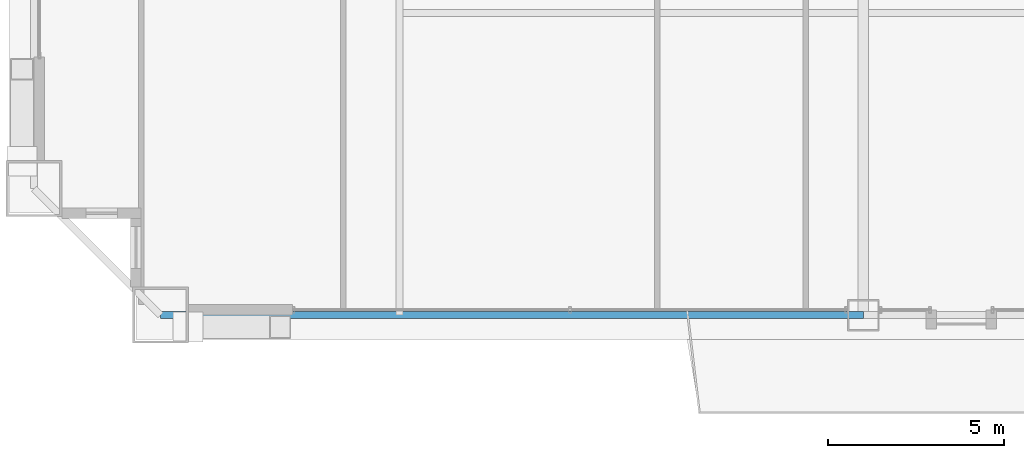
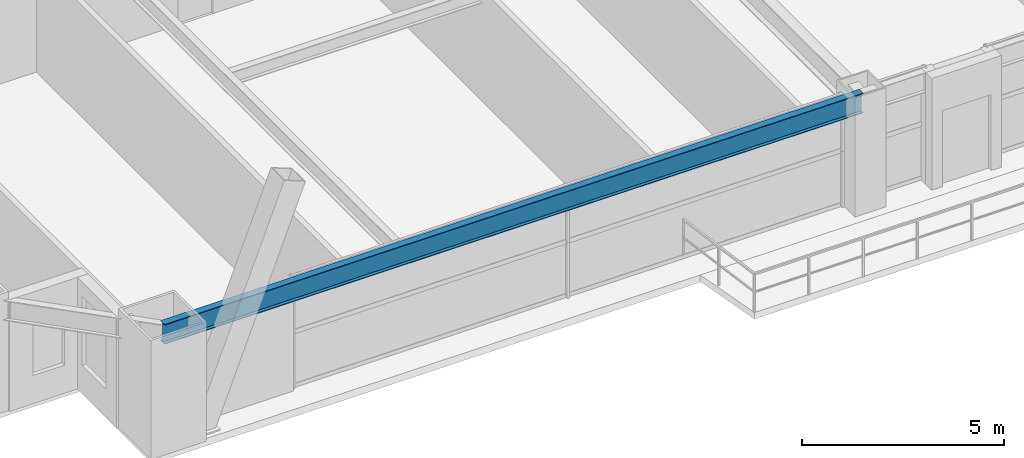
# One storey, part 5 of 42: 1 beam.
"""IFC4 building model written with IfcOpenShell, lengths in metres."""

from ifc_helpers import new_model, si_unit, direction, frame, origin, origin_2d, place, context, subcontext, project, spatial, i_section, extrude, source, transform, mapped, material, material_profile, profile_set, type_object, element, save


model = new_model("IFC4")

# Units and contexts
model_context = context("Model", 3, precision=1e-05, world=origin(), true_north=direction((0.0, 1.0)))
body_context = subcontext(model_context, "Body", "Model", "MODEL_VIEW")
ifc_project = project(units=[si_unit("LENGTHUNIT", "METRE"), si_unit("AREAUNIT", "SQUARE_METRE"), si_unit("VOLUMEUNIT", "CUBIC_METRE"), si_unit("PLANEANGLEUNIT", "RADIAN"), si_unit("MASSUNIT", "GRAM", prefix="KILO"), si_unit("THERMODYNAMICTEMPERATUREUNIT", "KELVIN"), si_unit("POWERUNIT", "WATT")], contexts=[model_context])

# Site, building, storey
site_placement = place(None, origin())
site = spatial("IfcSite", under=ifc_project, at=site_placement, CompositionType="ELEMENT")
building_placement = place(site_placement, origin())
building = spatial("IfcBuilding", under=site, at=building_placement, Name="Yuzanri Waterfront Tower", CompositionType="ELEMENT")
storey_placement = place(building_placement, frame((0.0, 0.0, 145.199951171875)))
storey = spatial("IfcBuildingStorey", under=building, at=storey_placement, Name="L38", CompositionType="ELEMENT", Elevation=145.199951171875)

# Beam
ifc_material = material(Name="Steel Q355B", Category="steel")
ifc_material_profile = material_profile(ifc_material, i_section(OverallWidth=0.199951171875, OverallDepth=0.60009765625, WebThickness=0.010986328125, FlangeThickness=0.01708984375, at=origin_2d()), Name="HN 600x200x11x17")
ifc_profile_set = profile_set([ifc_material_profile], Name="Steel Q355B")
beam_type = type_object("IfcBeamType", Name="Perimeter Spandrel Q355B HN 600x200", PredefinedType="SPANDREL", material=ifc_profile_set)
shared_shape = source(origin(), body_context, "Body", "SweptSolid", [
    extrude(i_section(OverallWidth=0.199951171875, OverallDepth=0.60009765625, WebThickness=0.010986328125, FlangeThickness=0.01708984375, at=origin_2d()), origin(), (0.0, 0.0, 1.0), 20.0),
])
beam_placement = place(storey_placement, frame((17.0, 2.199951171875, 3.080078125), z_axis=(1.0, 0.0, 0.0), x_axis=(0.0, 1.0, 0.0)))
element("IfcBeam", 1, at=beam_placement, inside=storey, type_object=beam_type, Name="L38 Perimeter Spandrel S1-S2", PredefinedType="SPANDREL", context=body_context, shape_type="MappedRepresentation", body=[
    mapped(shared_shape, transform((0.0, 0.0, 0.0), scale=1.0)),
])

save(model, "model.ifc")
